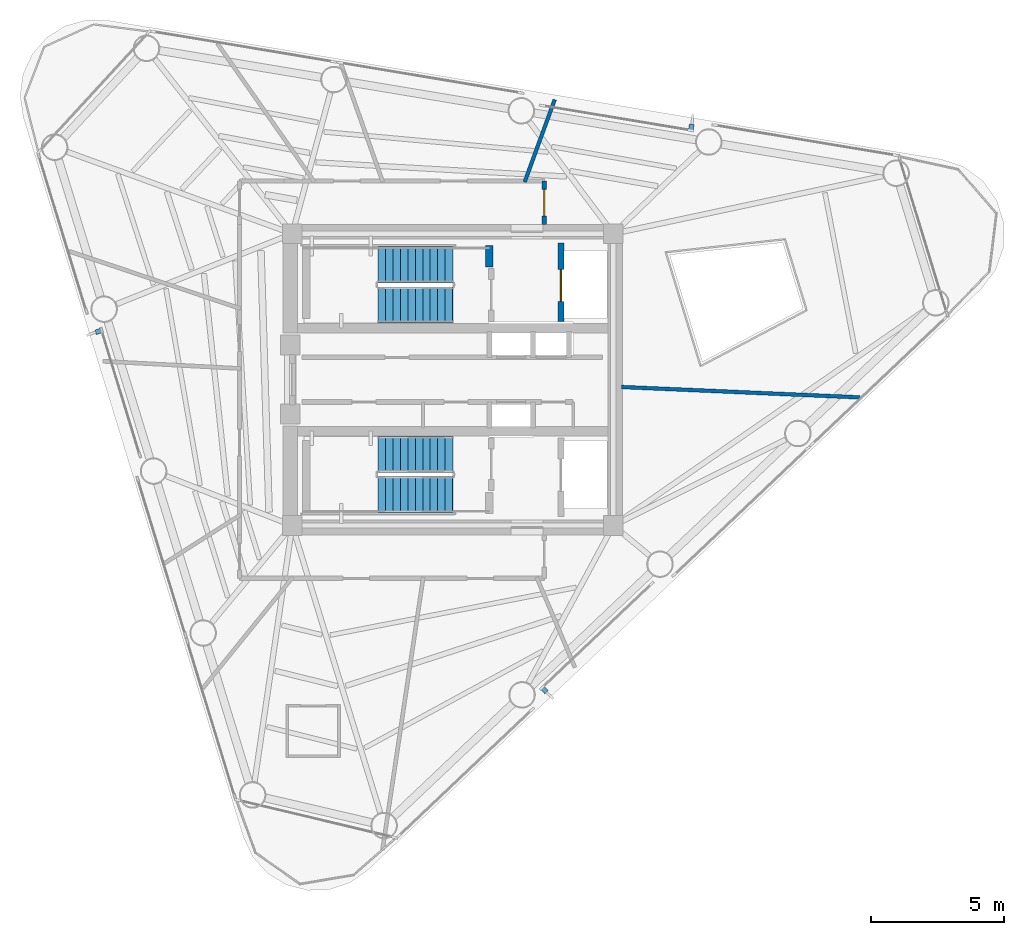
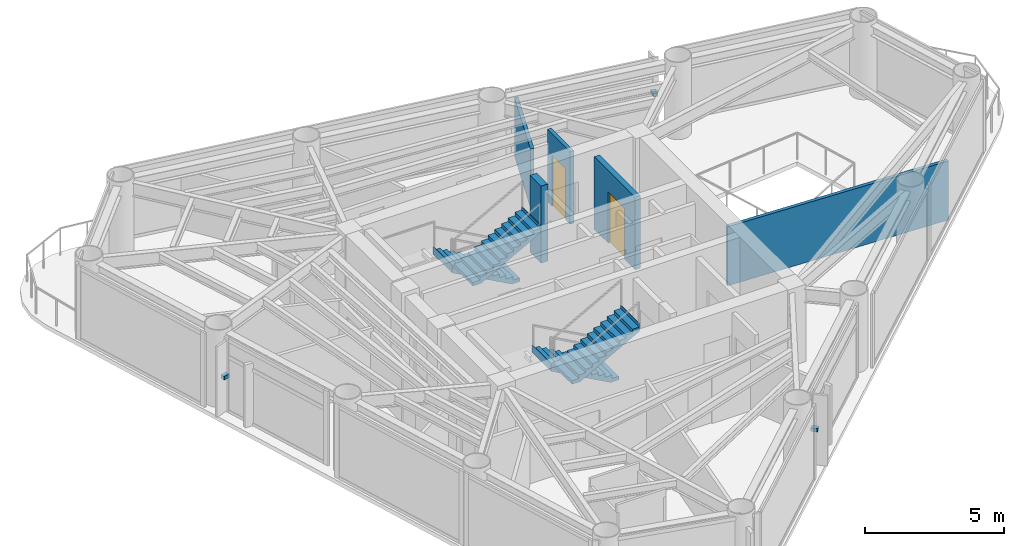
# One storey, part 6 of 8: 5 walls, 4 stair flights, 3 discrete accessories, 2 doors, 2 openings, 2 elements without a shape of their own.
"""IFC4 building model written with IfcOpenShell, lengths in metres."""

from ifc_helpers import new_model, si_unit, direction, frame, frame_2d, origin, origin_2d, place, context, subcontext, project, spatial, polyline, rectangle, outline, extrude, source, transform, mapped, material, layer, layer_set, type_object, element, fill, aggregate, save


model = new_model("IFC4")

# Units and contexts
model_context = context("Model", 3, precision=1e-05, world=origin(), true_north=direction((0.0, 1.0)))
body_context = subcontext(model_context, "Body", "Model", "MODEL_VIEW")
ifc_project = project(units=[si_unit("LENGTHUNIT", "METRE"), si_unit("AREAUNIT", "SQUARE_METRE"), si_unit("VOLUMEUNIT", "CUBIC_METRE"), si_unit("PLANEANGLEUNIT", "RADIAN"), si_unit("MASSUNIT", "GRAM", prefix="KILO")], contexts=[model_context])

# Site, building, storey
site_placement = place(None, origin())
site = spatial("IfcSite", under=ifc_project, at=site_placement, CompositionType="ELEMENT")
building_placement = place(site_placement, origin())
building = spatial("IfcBuilding", under=site, at=building_placement, Name="Yunling Apex Tower", CompositionType="ELEMENT")
storey_placement = place(building_placement, frame((0.0, 0.0, 235.449951171875)))
storey = spatial("IfcBuildingStorey", under=building, at=storey_placement, Name="L57", CompositionType="ELEMENT", Elevation=235.449951171875)

# Wall
ifc_material_1 = material(Name="Concrete C40", Category="concrete")
ifc_layer_1 = layer(ifc_material_1, 0.280029296875)
ifc_layer_set_1 = layer_set([ifc_layer_1], Name="Concrete C40")
wall_type_1 = type_object("IfcWallType", Name="WL-COR-8", PredefinedType="SHEAR", material=ifc_layer_set_1)
wall_1_placement = place(storey_placement, frame((1.3798828125, 4.25, 0.0), z_axis=(0.0, 0.0, 1.0), x_axis=(0.0, 1.0, 0.0)))
element("IfcWall", 1, at=wall_1_placement, inside=storey, type_object=wall_type_1, Name="L57 ST-1 East Landing Bearing Pier", PredefinedType="SHEAR", context=body_context, shape_type="SweptSolid", body=[
    extrude(rectangle(XDim=0.800048828125, YDim=0.280029296875, at=frame_2d((0.39990234375, 0.0))), origin(), (0.0, 0.0, 1.0), 3.400146484375),
])

# Wall, opening, door
ifc_material_2 = material(Name="Gypsum board acoustic partition")
ifc_layer_2 = layer(ifc_material_2, 0.159912109375)
ifc_layer_set_2 = layer_set([ifc_layer_2], Name="Gypsum board acoustic partition")
wall_type_2 = type_object("IfcWallType", Name="WL-PRT-1", PredefinedType="PARTITIONING", material=ifc_layer_set_2)
wall_2_placement = place(storey_placement, frame((3.449951171875, 7.489990234375, 0.0), z_axis=(0.0, 0.0, 1.0), x_axis=(0.0, -1.0, 0.0)))
wall_2 = element("IfcWall", 2, at=wall_2_placement, inside=storey, type_object=wall_type_2, Name="WL-CORR-L57-04", PredefinedType="PARTITIONING", context=body_context, shape_type="SweptSolid", body=[
    extrude(rectangle(XDim=1.639892578125, YDim=0.159912109375, at=frame_2d((0.81982421875, 0.0))), origin(), (0.0, 0.0, 1.0), 3.199951171875),
])
opening_1_placement = place(wall_2_placement, frame((0.320068359375, 0.0, 0.0)))
opening_1 = element("IfcOpeningElement", 3, at=opening_1_placement, cuts=wall_2, Name="Opening DR-OFF-1", PredefinedType="OPENING", context=body_context, shape_type="SweptSolid", body=[
    extrude(rectangle(XDim=1.0, YDim=2.25, at=frame_2d((0.5, 1.125))), frame((0.0, 0.08984375, 0.0), z_axis=(0.0, -1.0, 0.0), x_axis=(1.0, 0.0, 0.0)), (0.0, 0.0, 1.0), 0.179931640625),
])
ifc_material_3 = material(Name="Bronze anodised aluminium", Category="aluminium")
door_type_1 = type_object("IfcDoorType", Name="DR-OFF-1", OperationType="NOTDEFINED", PredefinedType="DOOR", material=ifc_material_3)
door_1_placement = place(opening_1_placement, origin())
door_1 = element("IfcDoor", 4, at=door_1_placement, inside=storey, type_object=door_type_1, Name="L57 Residents Fitness Club Door", OperationType="SINGLE_SWING_RIGHT", OverallHeight=2.25, OverallWidth=1.0, PredefinedType="DOOR", context=body_context, shape_type="SweptSolid", body=[
    extrude(rectangle(XDim=1.0, YDim=2.25, at=frame_2d((0.5, 1.125))), frame((0.0, 0.02490234375, 0.0), z_axis=(0.0, -1.0, 0.0), x_axis=(1.0, 0.0, 0.0)), (0.0, 0.0, 1.0), 0.050048828125),
])
fill(opening_1, door_1)

# Walls
ifc_layer_3 = layer(ifc_material_2, 0.139892578125)
ifc_layer_set_3 = layer_set([ifc_layer_3], Name="Gypsum board acoustic partition")
wall_type_3 = type_object("IfcWallType", Name="WL-PRT-2", PredefinedType="PARTITIONING", material=ifc_layer_set_3)
wall_3_placement = place(storey_placement, frame((6.360107421875, -0.277587890625, 0.0), z_axis=(0.0, 0.0, 1.0), x_axis=(0.99904773846, -0.043630451279, 0.0)))
element("IfcWall", 5, at=wall_3_placement, inside=storey, type_object=wall_type_3, Name="WL-RAD-L57-01", PredefinedType="PARTITIONING", context=body_context, shape_type="SweptSolid", body=[
    extrude(rectangle(XDim=8.9921875, YDim=0.139892578125, at=frame_2d((4.49609375, 0.0))), origin(), (0.0, 0.0, 1.0), 2.60498046875),
])
wall_4_placement = place(storey_placement, frame((2.711669921875, 7.449951171875, 0.0), z_axis=(0.0, 0.0, 1.0), x_axis=(0.341974588874, 0.9397092, 0.0)))
element("IfcWall", 6, at=wall_4_placement, inside=storey, type_object=wall_type_3, Name="WL-RAD-L57-02", PredefinedType="PARTITIONING", context=body_context, shape_type="SweptSolid", body=[
    extrude(rectangle(XDim=3.3017578125, YDim=0.139892578125, at=frame_2d((1.65087890625, 0.0))), origin(), (0.0, 0.0, 1.0), 2.60498046875),
])

# Wall, opening, door
ifc_material_4 = material(Name="Autoclaved aerated concrete masonry", Category="masonry")
ifc_layer_4 = layer(ifc_material_4, 0.219970703125)
ifc_layer_set_4 = layer_set([ifc_layer_4], Name="Autoclaved aerated concrete masonry")
wall_type_4 = type_object("IfcWallType", Name="WL-SHF-1", PredefinedType="PLUMBINGWALL", material=ifc_layer_set_4)
wall_5_placement = place(storey_placement, frame((4.080078125, 2.199951171875, 0.0), z_axis=(0.0, 0.0, 1.0), x_axis=(0.0, 1.0, 0.0)))
wall_5 = element("IfcWall", 7, at=wall_5_placement, inside=storey, type_object=wall_type_4, Name="WL-FFL1-W-L57", PredefinedType="PLUMBINGWALL", context=body_context, shape_type="SweptSolid", body=[
    extrude(rectangle(XDim=2.949951171875, YDim=0.219970703125, at=frame_2d((1.47509765625, 0.0))), origin(), (0.0, 0.0, 1.0), 3.199951171875),
])
opening_2_placement = place(wall_5_placement, frame((0.75, 0.0, 0.0)))
opening_2 = element("IfcOpeningElement", 8, at=opening_2_placement, cuts=wall_5, Name="Opening LD-FFL-1", PredefinedType="OPENING", context=body_context, shape_type="SweptSolid", body=[
    extrude(rectangle(XDim=1.199951171875, YDim=2.25, at=frame_2d((0.60009765625, 1.125))), frame((0.0, 0.1201171875, 0.0), z_axis=(0.0, -1.0, 0.0), x_axis=(1.0, 0.0, 0.0)), (0.0, 0.0, 1.0), 0.239990234375),
])
ifc_material_5 = material(Name="Steel Q355B", Category="steel")
door_type_2 = type_object("IfcDoorType", Name="LD-FFL-1", OperationType="DOUBLE_DOOR_SLIDING", PredefinedType="DOOR", material=ifc_material_5)
door_2_placement = place(opening_2_placement, origin())
door_2 = element("IfcDoor", 9, at=door_2_placement, inside=storey, type_object=door_type_2, Name="L57 Lift FFL-1 Landing Door", OperationType="DOUBLE_DOOR_SLIDING", OverallHeight=2.25, OverallWidth=1.199951171875, PredefinedType="DOOR", context=body_context, shape_type="SweptSolid", body=[
    extrude(rectangle(XDim=1.199951171875, YDim=2.25, at=frame_2d((0.60009765625, 1.125))), frame((0.0, 0.02490234375, 0.0), z_axis=(0.0, -1.0, 0.0), x_axis=(1.0, 0.0, 0.0)), (0.0, 0.0, 1.0), 0.050048828125),
])
fill(opening_2, door_2)

# Stair, stair flights
stair_type = type_object("IfcStairType", Name="ST-TWR-3", PredefinedType="HALF_TURN_STAIR", material=ifc_material_1)
stair_1_placement = place(storey_placement, origin())
stair_1 = element("IfcStair", 10, at=stair_1_placement, inside=storey, type_object=stair_type, Name="L57 North Core Smokeproof Exit Stair ST-1", PredefinedType="HALF_TURN_STAIR")
stair_flight_type = type_object("IfcStairFlightType", Name="SFL-TWR-3", PredefinedType="STRAIGHT", material=ifc_material_1)
stair_flight_1_placement = place(storey_placement, frame((-0.010009765625, 4.330078125, 0.0), z_axis=(0.0, 0.0, 1.0), x_axis=(-1.0, 0.0, 0.0)))
stair_flight_1 = element("IfcStairFlight", 11, at=stair_flight_1_placement, type_object=stair_flight_type, Name="ST-1 flight 1", NumberOfRisers=11, NumberOfTreads=10, PredefinedType="STRAIGHT", RiserHeight=0.154545455, TreadLength=0.28, context=body_context, shape_type="SweptSolid", body=[
    extrude(outline(polyline([(-0.011962890625, 0.0), (-0.011962890625, 0.154541015625), (0.0, 0.154541015625), (0.280029296875, 0.154541015625), (0.280029296875, 0.30908203125), (0.56005859375, 0.30908203125), (0.56005859375, 0.463623046875), (0.840087890625, 0.463623046875), (0.840087890625, 0.6181640625), (1.1201171875, 0.6181640625), (1.1201171875, 0.772705078125), (1.39990234375, 0.772705078125), (1.39990234375, 0.92724609375), (1.679931640625, 0.92724609375), (1.679931640625, 1.081787109375), (1.9599609375, 1.081787109375), (1.9599609375, 1.236328125), (2.239990234375, 1.236328125), (2.239990234375, 1.390869140625), (2.52001953125, 1.390869140625), (2.52001953125, 1.54541015625), (2.800048828125, 1.54541015625), (2.800048828125, 1.699951171875), (2.81201171875, 1.699951171875), (2.81201171875, 1.36279296875), (0.330810546875, 0.0), (-0.011962890625, 0.0)])), frame((0.0, 0.68017578125, 0.0), z_axis=(0.0, -1.0, 0.0), x_axis=(1.0, 0.0, 0.0)), (0.0, 0.0, 1.0), 1.360107421875),
])
stair_flight_2_placement = place(storey_placement, frame((-2.81005859375, 2.820068359375, 1.699951171875), z_axis=(0.0, 0.0, 1.0), x_axis=(1.0, 0.0, 0.0)))
stair_flight_2 = element("IfcStairFlight", 12, at=stair_flight_2_placement, type_object=stair_flight_type, Name="ST-1 flight 2", NumberOfRisers=11, NumberOfTreads=10, PredefinedType="STRAIGHT", RiserHeight=0.154545455, TreadLength=0.28, context=body_context, shape_type="SweptSolid", body=[
    extrude(outline(polyline([(-0.011962890625, 0.0), (-0.011962890625, 0.154541015625), (0.0, 0.154541015625), (0.280029296875, 0.154541015625), (0.280029296875, 0.30908203125), (0.56005859375, 0.30908203125), (0.56005859375, 0.463623046875), (0.840087890625, 0.463623046875), (0.840087890625, 0.6181640625), (1.1201171875, 0.6181640625), (1.1201171875, 0.772705078125), (1.39990234375, 0.772705078125), (1.39990234375, 0.92724609375), (1.679931640625, 0.92724609375), (1.679931640625, 1.081787109375), (1.9599609375, 1.081787109375), (1.9599609375, 1.236328125), (2.239990234375, 1.236328125), (2.239990234375, 1.390869140625), (2.52001953125, 1.390869140625), (2.52001953125, 1.54541015625), (2.800048828125, 1.54541015625), (2.800048828125, 1.699951171875), (2.81201171875, 1.699951171875), (2.81201171875, 1.36279296875), (0.330810546875, 0.0), (-0.011962890625, 0.0)])), frame((0.0, 0.68017578125, 0.0), z_axis=(0.0, -1.0, 0.0), x_axis=(1.0, 0.0, 0.0)), (0.0, 0.0, 1.0), 1.360107421875),
])
aggregate(stair_1, [stair_flight_1, stair_flight_2])

stair_2_placement = place(storey_placement, origin())
stair_2 = element("IfcStair", 13, at=stair_2_placement, inside=storey, type_object=stair_type, Name="L57 South Core Smokeproof Exit Stair ST-2", PredefinedType="HALF_TURN_STAIR")
stair_flight_3_placement = place(storey_placement, frame((-0.010009765625, -2.820068359375, 0.0), z_axis=(0.0, 0.0, 1.0), x_axis=(-1.0, 0.0, 0.0)))
stair_flight_3 = element("IfcStairFlight", 14, at=stair_flight_3_placement, type_object=stair_flight_type, Name="ST-2 flight 1", NumberOfRisers=11, NumberOfTreads=10, PredefinedType="STRAIGHT", RiserHeight=0.154545455, TreadLength=0.28, context=body_context, shape_type="SweptSolid", body=[
    extrude(outline(polyline([(-0.011962890625, 0.0), (-0.011962890625, 0.154541015625), (0.0, 0.154541015625), (0.280029296875, 0.154541015625), (0.280029296875, 0.30908203125), (0.56005859375, 0.30908203125), (0.56005859375, 0.463623046875), (0.840087890625, 0.463623046875), (0.840087890625, 0.6181640625), (1.1201171875, 0.6181640625), (1.1201171875, 0.772705078125), (1.39990234375, 0.772705078125), (1.39990234375, 0.92724609375), (1.679931640625, 0.92724609375), (1.679931640625, 1.081787109375), (1.9599609375, 1.081787109375), (1.9599609375, 1.236328125), (2.239990234375, 1.236328125), (2.239990234375, 1.390869140625), (2.52001953125, 1.390869140625), (2.52001953125, 1.54541015625), (2.800048828125, 1.54541015625), (2.800048828125, 1.699951171875), (2.81201171875, 1.699951171875), (2.81201171875, 1.36279296875), (0.330810546875, 0.0), (-0.011962890625, 0.0)])), frame((0.0, 0.68017578125, 0.0), z_axis=(0.0, -1.0, 0.0), x_axis=(1.0, 0.0, 0.0)), (0.0, 0.0, 1.0), 1.360107421875),
])
stair_flight_4_placement = place(storey_placement, frame((-2.81005859375, -4.330078125, 1.699951171875), z_axis=(0.0, 0.0, 1.0), x_axis=(1.0, 0.0, 0.0)))
stair_flight_4 = element("IfcStairFlight", 15, at=stair_flight_4_placement, type_object=stair_flight_type, Name="ST-2 flight 2", NumberOfRisers=11, NumberOfTreads=10, PredefinedType="STRAIGHT", RiserHeight=0.154545455, TreadLength=0.28, context=body_context, shape_type="SweptSolid", body=[
    extrude(outline(polyline([(-0.011962890625, 0.0), (-0.011962890625, 0.154541015625), (0.0, 0.154541015625), (0.280029296875, 0.154541015625), (0.280029296875, 0.30908203125), (0.56005859375, 0.30908203125), (0.56005859375, 0.463623046875), (0.840087890625, 0.463623046875), (0.840087890625, 0.6181640625), (1.1201171875, 0.6181640625), (1.1201171875, 0.772705078125), (1.39990234375, 0.772705078125), (1.39990234375, 0.92724609375), (1.679931640625, 0.92724609375), (1.679931640625, 1.081787109375), (1.9599609375, 1.081787109375), (1.9599609375, 1.236328125), (2.239990234375, 1.236328125), (2.239990234375, 1.390869140625), (2.52001953125, 1.390869140625), (2.52001953125, 1.54541015625), (2.800048828125, 1.54541015625), (2.800048828125, 1.699951171875), (2.81201171875, 1.699951171875), (2.81201171875, 1.36279296875), (0.330810546875, 0.0), (-0.011962890625, 0.0)])), frame((0.0, 0.68017578125, 0.0), z_axis=(0.0, -1.0, 0.0), x_axis=(1.0, 0.0, 0.0)), (0.0, 0.0, 1.0), 1.360107421875),
])
aggregate(stair_2, [stair_flight_3, stair_flight_4])

# Discrete accessories
discrete_accessory_type = type_object("IfcDiscreteAccessoryType", Name="BK-FIN-1", PredefinedType="BRACKET", material=ifc_material_5)
shared_shape = source(origin(), body_context, "Body", "SweptSolid", [
    extrude(rectangle(XDim=0.179931640625, YDim=0.260009765625, at=origin_2d()), origin(), (0.0, 0.0, 1.0), 0.159912109375),
])
for number, where, z_axis, x_axis, name in (
    (16, (3.443603515625, -11.68505859375, 1.5302734375), (0.0, 0.0, 1.0), (0.725854756355, 0.687848001144, 0.0), "CW-L57-F1-B2-BRK-01-1"),
    (17, (8.989013671875, 9.502197265625, 1.5302734375), (0.0, 0.0, 1.0), (-0.986400586142, 0.164359008451, 0.0), "CW-L57-F2-B2-BRK-01-1"),
    (18, (-13.33642578125, 1.822265625, 1.5302734375), (0.0, 0.0, 1.0), (0.292371704723, -0.956304755963, 0.0), "CW-L57-F3-B2-BRK-01-1"),
):
    element("IfcDiscreteAccessory", number, at=place(storey_placement, frame(where, z_axis=z_axis, x_axis=x_axis)), inside=storey, type_object=discrete_accessory_type, Name=name, PredefinedType="BRACKET", context=body_context, shape_type="MappedRepresentation", body=[
        mapped(shared_shape, transform((0.0, 0.0, 0.0), scale=1.0)),
    ])

save(model, "model.ifc")
